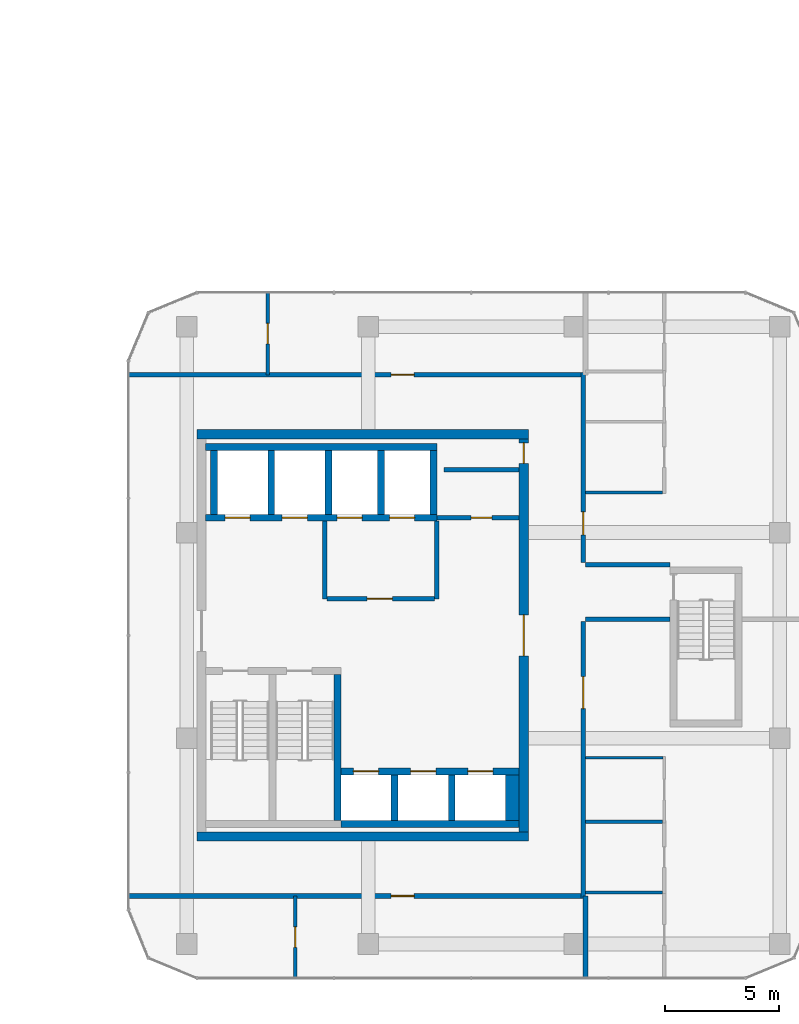
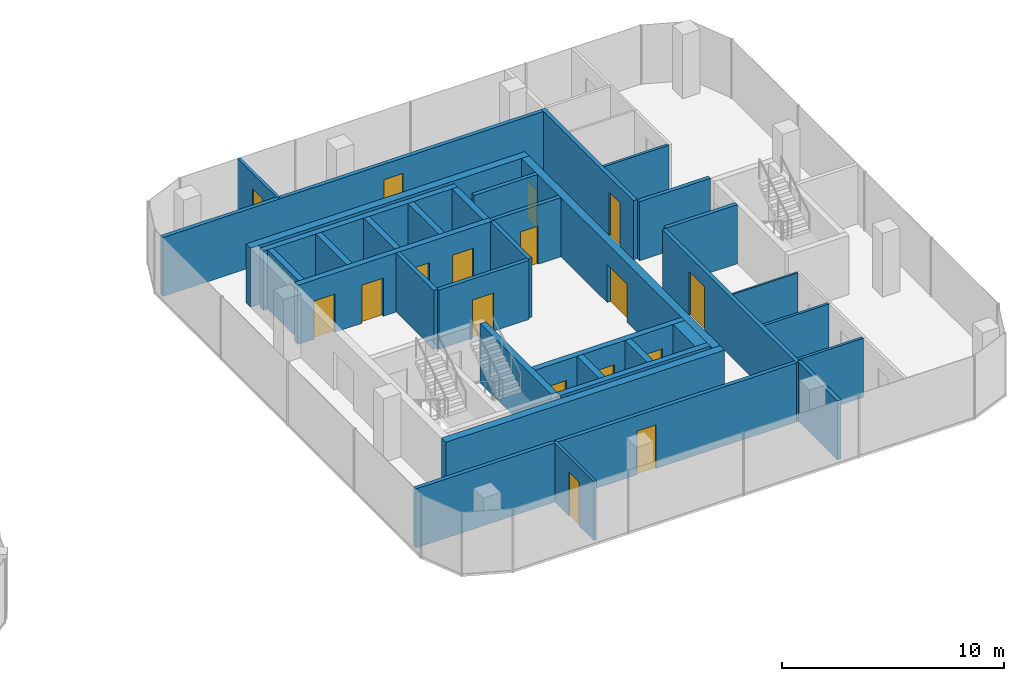
# One storey, part 18 of 23: 34 walls, 17 doors, 17 openings.
"""IFC4 building model written with IfcOpenShell, lengths in metres."""

from ifc_helpers import new_model, si_unit, direction, frame, frame_2d, origin, place, context, subcontext, project, spatial, rectangle, extrude, material, layer, layer_set, type_object, element, fill, save


model = new_model("IFC4")

# Units and contexts
model_context = context("Model", 3, precision=1e-05, world=origin(), true_north=direction((0.0, 1.0)))
body_context = subcontext(model_context, "Body", "Model", "MODEL_VIEW")
ifc_project = project(units=[si_unit("LENGTHUNIT", "METRE"), si_unit("AREAUNIT", "SQUARE_METRE"), si_unit("VOLUMEUNIT", "CUBIC_METRE"), si_unit("PLANEANGLEUNIT", "RADIAN"), si_unit("MASSUNIT", "GRAM", prefix="KILO")], contexts=[model_context])

# Site, building, storey
site_placement = place(None, origin())
site = spatial("IfcSite", under=ifc_project, at=site_placement, CompositionType="ELEMENT")
building_placement = place(site_placement, origin())
building = spatial("IfcBuilding", under=site, at=building_placement, Name="Plateau Cross Towers", CompositionType="ELEMENT")
storey_placement = place(building_placement, frame((0.0, 0.0, 95.800048828125)))
storey = spatial("IfcBuildingStorey", under=building, at=storey_placement, Name="L24", CompositionType="ELEMENT", Elevation=95.800048828125)

# Wall
ifc_material_1 = material(Name="Concrete block, plastered both sides", Category="concrete")
ifc_layer_1 = layer(ifc_material_1, 0.199951171875)
ifc_layer_set_1 = layer_set([ifc_layer_1], Name="Concrete block, plastered both sides")
wall_type_1 = type_object("IfcWallType", Name="Core partition 200", PredefinedType="PARTITIONING", material=ifc_layer_set_1)
wall_1_placement = place(storey_placement, frame((80.60009765625, 10.60009765625, 0.0), z_axis=(0.0, 0.0, 1.0), x_axis=(0.0, 1.0, 0.0)))
element("IfcWall", 1, at=wall_1_placement, inside=storey, type_object=wall_type_1, Name="Core partition", PredefinedType="PARTITIONING", context=body_context, shape_type="SweptSolid", body=[
    extrude(rectangle(XDim=3.39990234375, YDim=0.199951171875, at=frame_2d((1.699951171875, 0.0))), origin(), (0.0, 0.0, 1.0), 3.25),
])

# Wall, opening, door
wall_2_placement = place(storey_placement, frame((80.699951171875, 10.60009765625, 0.0), z_axis=(0.0, 0.0, 1.0), x_axis=(1.0, 0.0, 0.0)))
wall_2 = element("IfcWall", 2, at=wall_2_placement, inside=storey, type_object=wall_type_1, Name="Core partition", PredefinedType="PARTITIONING", context=body_context, shape_type="SweptSolid", body=[
    extrude(rectangle(XDim=4.699951171875, YDim=0.199951171875, at=frame_2d((2.35009765625, 0.0))), origin(), (0.0, 0.0, 1.0), 3.25),
])
opening_1_placement = place(wall_2_placement, frame((1.75, 0.0, 0.0)))
opening_1 = element("IfcOpeningElement", 3, at=opening_1_placement, cuts=wall_2, Name="Opening FFD", PredefinedType="OPENING", context=body_context, shape_type="SweptSolid", body=[
    extrude(rectangle(XDim=1.10009765625, YDim=2.10009765625, at=frame_2d((0.550048828125, 1.050048828125))), frame((0.0, 0.10986328125, 0.0), z_axis=(0.0, -1.0, 0.0), x_axis=(1.0, 0.0, 0.0)), (0.0, 0.0, 1.0), 0.219970703125),
])
ifc_material_2 = material(Name="Steel, fire-resisting leaf", Category="steel")
door_type_1 = type_object("IfcDoorType", Name="Firefighting lobby door 1100", OperationType="NOTDEFINED", PredefinedType="DOOR", material=ifc_material_2)
door_1_placement = place(opening_1_placement, origin())
door_1 = element("IfcDoor", 4, at=door_1_placement, inside=storey, type_object=door_type_1, Name="Firefighting lobby door FFD", OperationType="SINGLE_SWING_LEFT", OverallHeight=2.10009765625, OverallWidth=1.10009765625, PredefinedType="DOOR", context=body_context, shape_type="SweptSolid", body=[
    extrude(rectangle(XDim=1.10009765625, YDim=2.10009765625, at=frame_2d((0.550048828125, 1.050048828125))), frame((0.0, 0.02490234375, 0.0), z_axis=(0.0, -1.0, 0.0), x_axis=(1.0, 0.0, 0.0)), (0.0, 0.0, 1.0), 0.050048828125),
])
fill(opening_1, door_1)

# Wall
wall_3_placement = place(storey_placement, frame((85.5, 10.60009765625, 0.0), z_axis=(0.0, 0.0, 1.0), x_axis=(0.0, 1.0, 0.0)))
element("IfcWall", 5, at=wall_3_placement, inside=storey, type_object=wall_type_1, Name="Core partition", PredefinedType="PARTITIONING", context=body_context, shape_type="SweptSolid", body=[
    extrude(rectangle(XDim=3.39990234375, YDim=0.199951171875, at=frame_2d((1.699951171875, 0.0))), origin(), (0.0, 0.0, 1.0), 3.25),
])

# Wall, opening, door
wall_4_placement = place(storey_placement, frame((85.5, 14.14990234375, 0.0), z_axis=(0.0, 0.0, 1.0), x_axis=(1.0, 0.0, 0.0)))
wall_4 = element("IfcWall", 6, at=wall_4_placement, inside=storey, type_object=wall_type_1, Name="Core partition", PredefinedType="PARTITIONING", context=body_context, shape_type="SweptSolid", body=[
    extrude(rectangle(XDim=3.60009765625, YDim=0.199951171875, at=frame_2d((1.800048828125, 0.0))), origin(), (0.0, 0.0, 1.0), 3.25),
])
opening_2_placement = place(wall_4_placement, frame((1.5, 0.0, 0.0)))
opening_2 = element("IfcOpeningElement", 7, at=opening_2_placement, cuts=wall_4, Name="Opening RD2", PredefinedType="OPENING", context=body_context, shape_type="SweptSolid", body=[
    extrude(rectangle(XDim=0.89990234375, YDim=2.10009765625, at=frame_2d((0.449951171875, 1.050048828125))), frame((0.0, 0.10986328125, 0.0), z_axis=(0.0, -1.0, 0.0), x_axis=(1.0, 0.0, 0.0)), (0.0, 0.0, 1.0), 0.219970703125),
])
door_type_2 = type_object("IfcDoorType", Name="Core riser door 900", OperationType="NOTDEFINED", PredefinedType="DOOR", material=ifc_material_2)
door_2_placement = place(opening_2_placement, origin())
door_2 = element("IfcDoor", 8, at=door_2_placement, inside=storey, type_object=door_type_2, Name="Core riser door RD2", OperationType="SINGLE_SWING_LEFT", OverallHeight=2.10009765625, OverallWidth=0.89990234375, PredefinedType="DOOR", context=body_context, shape_type="SweptSolid", body=[
    extrude(rectangle(XDim=0.89990234375, YDim=2.10009765625, at=frame_2d((0.449951171875, 1.050048828125))), frame((0.0, 0.02490234375, 0.0), z_axis=(0.0, -1.0, 0.0), x_axis=(1.0, 0.0, 0.0)), (0.0, 0.0, 1.0), 0.050048828125),
])
fill(opening_2, door_2)

# Walls
wall_5_placement = place(storey_placement, frame((85.800048828125, 16.25, 0.0), z_axis=(0.0, 0.0, 1.0), x_axis=(1.0, 0.0, 0.0)))
element("IfcWall", 9, at=wall_5_placement, inside=storey, type_object=wall_type_1, Name="Core partition", PredefinedType="PARTITIONING", context=body_context, shape_type="SweptSolid", body=[
    extrude(rectangle(XDim=3.300048828125, YDim=0.199951171875, at=frame_2d((1.64990234375, 0.0))), origin(), (0.0, 0.0, 1.0), 3.25),
])
ifc_material_3 = material(Name="Concrete C60/75", Category="concrete")
ifc_layer_2 = layer(ifc_material_3, 0.300048828125)
ifc_layer_set_2 = layer_set([ifc_layer_2], Name="Concrete C60/75")
wall_type_2 = type_object("IfcWallType", Name="Core shaft wall 300", PredefinedType="SHEAR", material=ifc_layer_set_2)
wall_6_placement = place(storey_placement, frame((81.14990234375, 0.89990234375, 0.0), z_axis=(0.0, 0.0, 1.0), x_axis=(0.0, 1.0, 0.0)))
element("IfcWall", 10, at=wall_6_placement, inside=storey, type_object=wall_type_2, Name="B-sb-st2@L24", PredefinedType="SHEAR", context=body_context, shape_type="SweptSolid", body=[
    extrude(rectangle(XDim=6.400146484375, YDim=0.300048828125, at=frame_2d((3.2001953125, 0.0))), origin(), (0.0, 0.0, 1.0), 3.25),
])
wall_7_placement = place(storey_placement, frame((81.300048828125, 0.75, 0.0), z_axis=(0.0, 0.0, 1.0), x_axis=(1.0, 0.0, 0.0)))
element("IfcWall", 11, at=wall_7_placement, inside=storey, type_object=wall_type_2, Name="B-sb-back@L24", PredefinedType="SHEAR", context=body_context, shape_type="SweptSolid", body=[
    extrude(rectangle(XDim=7.800048828125, YDim=0.300048828125, at=frame_2d((3.89990234375, 0.0))), origin(), (0.0, 0.0, 1.0), 3.25),
])
for number, where, z_axis, x_axis, name in (
    (12, (83.64990234375, 0.89990234375, 0.0), (0.0, 0.0, 1.0), (0.0, 1.0, 0.0), "B-sb-v1@L24"),
    (13, (86.14990234375, 0.89990234375, 0.0), (0.0, 0.0, 1.0), (0.0, 1.0, 0.0), "B-sb-v2@L24"),
):
    element("IfcWall", number, at=place(storey_placement, frame(where, z_axis=z_axis, x_axis=x_axis)), inside=storey, type_object=wall_type_2, Name=name, PredefinedType="SHEAR", context=body_context, shape_type="SweptSolid", body=[
        extrude(rectangle(XDim=2.0, YDim=0.300048828125, at=frame_2d((1.0, 0.0))), origin(), (0.0, 0.0, 1.0), 3.25),
    ])

# Wall, openings, doors
wall_8_placement = place(storey_placement, frame((81.300048828125, 3.050048828125, 0.0), z_axis=(0.0, 0.0, 1.0), x_axis=(1.0, 0.0, 0.0)))
wall_8 = element("IfcWall", 14, at=wall_8_placement, inside=storey, type_object=wall_type_2, Name="B-sb-front@L24", PredefinedType="SHEAR", context=body_context, shape_type="SweptSolid", body=[
    extrude(rectangle(XDim=7.800048828125, YDim=0.300048828125, at=frame_2d((3.89990234375, 0.0))), origin(), (0.0, 0.0, 1.0), 3.25),
])
opening_3_placement = place(wall_8_placement, frame((0.550048828125, 0.0, 0.0)))
opening_3 = element("IfcOpeningElement", 15, at=opening_3_placement, cuts=wall_8, Name="Opening LD", PredefinedType="OPENING", context=body_context, shape_type="SweptSolid", body=[
    extrude(rectangle(XDim=1.10009765625, YDim=2.10009765625, at=frame_2d((0.550048828125, 1.050048828125))), frame((0.0, 0.159912109375, 0.0), z_axis=(0.0, -1.0, 0.0), x_axis=(1.0, 0.0, 0.0)), (0.0, 0.0, 1.0), 0.320068359375),
])
opening_4_placement = place(wall_8_placement, frame((3.050048828125, 0.0, 0.0)))
opening_4 = element("IfcOpeningElement", 16, at=opening_4_placement, cuts=wall_8, Name="Opening LD", PredefinedType="OPENING", context=body_context, shape_type="SweptSolid", body=[
    extrude(rectangle(XDim=1.10009765625, YDim=2.10009765625, at=frame_2d((0.550048828125, 1.050048828125))), frame((0.0, 0.159912109375, 0.0), z_axis=(0.0, -1.0, 0.0), x_axis=(1.0, 0.0, 0.0)), (0.0, 0.0, 1.0), 0.320068359375),
])
opening_5_placement = place(wall_8_placement, frame((5.550048828125, 0.0, 0.0)))
opening_5 = element("IfcOpeningElement", 17, at=opening_5_placement, cuts=wall_8, Name="Opening LD", PredefinedType="OPENING", context=body_context, shape_type="SweptSolid", body=[
    extrude(rectangle(XDim=1.10009765625, YDim=2.10009765625, at=frame_2d((0.550048828125, 1.050048828125))), frame((0.0, 0.159912109375, 0.0), z_axis=(0.0, -1.0, 0.0), x_axis=(1.0, 0.0, 0.0)), (0.0, 0.0, 1.0), 0.320068359375),
])
ifc_material_4 = material(Name="Stainless steel, fire-resisting sliding leaves", Category="steel")
door_type_3 = type_object("IfcDoorType", Name="Lift landing door 1100", OperationType="NOTDEFINED", PredefinedType="DOOR", material=ifc_material_4)
door_3_placement = place(opening_3_placement, origin())
door_3 = element("IfcDoor", 18, at=door_3_placement, inside=storey, type_object=door_type_3, Name="Lift landing door LD", OperationType="DOUBLE_DOOR_SLIDING", OverallHeight=2.10009765625, OverallWidth=1.10009765625, PredefinedType="DOOR", context=body_context, shape_type="SweptSolid", body=[
    extrude(rectangle(XDim=1.10009765625, YDim=2.10009765625, at=frame_2d((0.550048828125, 1.050048828125))), frame((0.0, 0.02490234375, 0.0), z_axis=(0.0, -1.0, 0.0), x_axis=(1.0, 0.0, 0.0)), (0.0, 0.0, 1.0), 0.050048828125),
])
fill(opening_3, door_3)
door_4_placement = place(opening_4_placement, origin())
door_4 = element("IfcDoor", 19, at=door_4_placement, inside=storey, type_object=door_type_3, Name="Lift landing door LD", OperationType="DOUBLE_DOOR_SLIDING", OverallHeight=2.10009765625, OverallWidth=1.10009765625, PredefinedType="DOOR", context=body_context, shape_type="SweptSolid", body=[
    extrude(rectangle(XDim=1.10009765625, YDim=2.10009765625, at=frame_2d((0.550048828125, 1.050048828125))), frame((0.0, 0.02490234375, 0.0), z_axis=(0.0, -1.0, 0.0), x_axis=(1.0, 0.0, 0.0)), (0.0, 0.0, 1.0), 0.050048828125),
])
fill(opening_4, door_4)
door_5_placement = place(opening_5_placement, origin())
door_5 = element("IfcDoor", 20, at=door_5_placement, inside=storey, type_object=door_type_3, Name="Lift landing door LD", OperationType="DOUBLE_DOOR_SLIDING", OverallHeight=2.10009765625, OverallWidth=1.10009765625, PredefinedType="DOOR", context=body_context, shape_type="SweptSolid", body=[
    extrude(rectangle(XDim=1.10009765625, YDim=2.10009765625, at=frame_2d((0.550048828125, 1.050048828125))), frame((0.0, 0.02490234375, 0.0), z_axis=(0.0, -1.0, 0.0), x_axis=(1.0, 0.0, 0.0)), (0.0, 0.0, 1.0), 0.050048828125),
])
fill(opening_5, door_5)

# Wall
wall_9_placement = place(storey_placement, frame((75.3798828125, 17.25, 0.0), z_axis=(0.0, 0.0, 1.0), x_axis=(1.0, 0.0, 0.0)))
element("IfcWall", 21, at=wall_9_placement, inside=storey, type_object=wall_type_2, Name="B-nb-back@L24", PredefinedType="SHEAR", context=body_context, shape_type="SweptSolid", body=[
    extrude(rectangle(XDim=10.1201171875, YDim=0.300048828125, at=frame_2d((5.06005859375, 0.0))), origin(), (0.0, 0.0, 1.0), 3.25),
])

# Wall, openings, doors
wall_10_placement = place(storey_placement, frame((75.3798828125, 14.14990234375, 0.0), z_axis=(0.0, 0.0, 1.0), x_axis=(1.0, 0.0, 0.0)))
wall_10 = element("IfcWall", 22, at=wall_10_placement, inside=storey, type_object=wall_type_2, Name="B-nb-front@L24", PredefinedType="SHEAR", context=body_context, shape_type="SweptSolid", body=[
    extrude(rectangle(XDim=10.1201171875, YDim=0.300048828125, at=frame_2d((5.06005859375, 0.0))), origin(), (0.0, 0.0, 1.0), 3.25),
])
opening_6_placement = place(wall_10_placement, frame((0.85009765625, 0.0, 0.0)))
opening_6 = element("IfcOpeningElement", 23, at=opening_6_placement, cuts=wall_10, Name="Opening LD", PredefinedType="OPENING", context=body_context, shape_type="SweptSolid", body=[
    extrude(rectangle(XDim=1.10009765625, YDim=2.10009765625, at=frame_2d((0.550048828125, 1.050048828125))), frame((0.0, 0.159912109375, 0.0), z_axis=(0.0, -1.0, 0.0), x_axis=(1.0, 0.0, 0.0)), (0.0, 0.0, 1.0), 0.320068359375),
])
opening_7_placement = place(wall_10_placement, frame((3.35009765625, 0.0, 0.0)))
opening_7 = element("IfcOpeningElement", 24, at=opening_7_placement, cuts=wall_10, Name="Opening LD", PredefinedType="OPENING", context=body_context, shape_type="SweptSolid", body=[
    extrude(rectangle(XDim=1.10009765625, YDim=2.10009765625, at=frame_2d((0.550048828125, 1.050048828125))), frame((0.0, 0.159912109375, 0.0), z_axis=(0.0, -1.0, 0.0), x_axis=(1.0, 0.0, 0.0)), (0.0, 0.0, 1.0), 0.320068359375),
])
opening_8_placement = place(wall_10_placement, frame((5.75, 0.0, 0.0)))
opening_8 = element("IfcOpeningElement", 25, at=opening_8_placement, cuts=wall_10, Name="Opening LD", PredefinedType="OPENING", context=body_context, shape_type="SweptSolid", body=[
    extrude(rectangle(XDim=1.10009765625, YDim=2.10009765625, at=frame_2d((0.550048828125, 1.050048828125))), frame((0.0, 0.159912109375, 0.0), z_axis=(0.0, -1.0, 0.0), x_axis=(1.0, 0.0, 0.0)), (0.0, 0.0, 1.0), 0.320068359375),
])
opening_9_placement = place(wall_10_placement, frame((8.050048828125, 0.0, 0.0)))
opening_9 = element("IfcOpeningElement", 26, at=opening_9_placement, cuts=wall_10, Name="Opening LD", PredefinedType="OPENING", context=body_context, shape_type="SweptSolid", body=[
    extrude(rectangle(XDim=1.10009765625, YDim=2.10009765625, at=frame_2d((0.550048828125, 1.050048828125))), frame((0.0, 0.159912109375, 0.0), z_axis=(0.0, -1.0, 0.0), x_axis=(1.0, 0.0, 0.0)), (0.0, 0.0, 1.0), 0.320068359375),
])
door_6_placement = place(opening_6_placement, origin())
door_6 = element("IfcDoor", 27, at=door_6_placement, inside=storey, type_object=door_type_3, Name="Lift landing door LD", OperationType="DOUBLE_DOOR_SLIDING", OverallHeight=2.10009765625, OverallWidth=1.10009765625, PredefinedType="DOOR", context=body_context, shape_type="SweptSolid", body=[
    extrude(rectangle(XDim=1.10009765625, YDim=2.10009765625, at=frame_2d((0.550048828125, 1.050048828125))), frame((0.0, 0.02490234375, 0.0), z_axis=(0.0, -1.0, 0.0), x_axis=(1.0, 0.0, 0.0)), (0.0, 0.0, 1.0), 0.050048828125),
])
fill(opening_6, door_6)
door_7_placement = place(opening_7_placement, origin())
door_7 = element("IfcDoor", 28, at=door_7_placement, inside=storey, type_object=door_type_3, Name="Lift landing door LD", OperationType="DOUBLE_DOOR_SLIDING", OverallHeight=2.10009765625, OverallWidth=1.10009765625, PredefinedType="DOOR", context=body_context, shape_type="SweptSolid", body=[
    extrude(rectangle(XDim=1.10009765625, YDim=2.10009765625, at=frame_2d((0.550048828125, 1.050048828125))), frame((0.0, 0.02490234375, 0.0), z_axis=(0.0, -1.0, 0.0), x_axis=(1.0, 0.0, 0.0)), (0.0, 0.0, 1.0), 0.050048828125),
])
fill(opening_7, door_7)
door_8_placement = place(opening_8_placement, origin())
door_8 = element("IfcDoor", 29, at=door_8_placement, inside=storey, type_object=door_type_3, Name="Lift landing door LD", OperationType="DOUBLE_DOOR_SLIDING", OverallHeight=2.10009765625, OverallWidth=1.10009765625, PredefinedType="DOOR", context=body_context, shape_type="SweptSolid", body=[
    extrude(rectangle(XDim=1.10009765625, YDim=2.10009765625, at=frame_2d((0.550048828125, 1.050048828125))), frame((0.0, 0.02490234375, 0.0), z_axis=(0.0, -1.0, 0.0), x_axis=(1.0, 0.0, 0.0)), (0.0, 0.0, 1.0), 0.050048828125),
])
fill(opening_8, door_8)
door_9_placement = place(opening_9_placement, origin())
door_9 = element("IfcDoor", 30, at=door_9_placement, inside=storey, type_object=door_type_3, Name="Lift landing door LD", OperationType="DOUBLE_DOOR_SLIDING", OverallHeight=2.10009765625, OverallWidth=1.10009765625, PredefinedType="DOOR", context=body_context, shape_type="SweptSolid", body=[
    extrude(rectangle(XDim=1.10009765625, YDim=2.10009765625, at=frame_2d((0.550048828125, 1.050048828125))), frame((0.0, 0.02490234375, 0.0), z_axis=(0.0, -1.0, 0.0), x_axis=(1.0, 0.0, 0.0)), (0.0, 0.0, 1.0), 0.050048828125),
])
fill(opening_9, door_9)

# Walls
for number, where, z_axis, x_axis, name in (
    (31, (75.75, 14.300048828125, 0.0), (0.0, 0.0, 1.0), (0.0, 1.0, 0.0), "B-nb-v0@L24"),
    (32, (78.25, 14.300048828125, 0.0), (0.0, 0.0, 1.0), (0.0, 1.0, 0.0), "B-nb-v1@L24"),
    (33, (80.75, 14.300048828125, 0.0), (0.0, 0.0, 1.0), (0.0, 1.0, 0.0), "B-nb-v2@L24"),
    (34, (83.050048828125, 14.300048828125, 0.0), (0.0, 0.0, 1.0), (0.0, 1.0, 0.0), "B-nb-v3@L24"),
    (35, (85.35009765625, 14.300048828125, 0.0), (0.0, 0.0, 1.0), (0.0, 1.0, 0.0), "B-nb-v4@L24"),
):
    element("IfcWall", number, at=place(storey_placement, frame(where, z_axis=z_axis, x_axis=x_axis)), inside=storey, type_object=wall_type_2, Name=name, PredefinedType="SHEAR", context=body_context, shape_type="SweptSolid", body=[
        extrude(rectangle(XDim=2.800048828125, YDim=0.300048828125, at=frame_2d((1.39990234375, 0.0))), origin(), (0.0, 0.0, 1.0), 3.25),
    ])
ifc_layer_3 = layer(ifc_material_3, 0.60009765625)
ifc_layer_set_3 = layer_set([ifc_layer_3], Name="Concrete C60/75")
wall_type_3 = type_object("IfcWallType", Name="Core shaft wall 600", PredefinedType="SHEAR", material=ifc_layer_set_3)
wall_11_placement = place(storey_placement, frame((88.800048828125, 0.89990234375, 0.0), z_axis=(0.0, 0.0, 1.0), x_axis=(0.0, 1.0, 0.0)))
element("IfcWall", 36, at=wall_11_placement, inside=storey, type_object=wall_type_3, Name="B-sb-v3@L24", PredefinedType="SHEAR", context=body_context, shape_type="SweptSolid", body=[
    extrude(rectangle(XDim=2.0, YDim=0.60009765625, at=frame_2d((1.0, 0.0))), origin(), (0.0, 0.0, 1.0), 3.25),
])
ifc_layer_4 = layer(ifc_material_3, 0.39990234375)
ifc_layer_set_4 = layer_set([ifc_layer_4], Name="Concrete C60/75")
wall_type_4 = type_object("IfcWallType", Name="Core shell wall 400", PredefinedType="SHEAR", material=ifc_layer_set_4)
for number, where, z_axis, x_axis, name in (
    (37, (75.0, 0.199951171875, 0.0), (0.0, 0.0, 1.0), (1.0, 0.0, 0.0), "B-core-S@L24"),
    (38, (75.0, 17.800048828125, 0.0), (0.0, 0.0, 1.0), (1.0, 0.0, 0.0), "B-core-N@L24"),
):
    element("IfcWall", number, at=place(storey_placement, frame(where, z_axis=z_axis, x_axis=x_axis)), inside=storey, type_object=wall_type_4, Name=name, PredefinedType="SHEAR", context=body_context, shape_type="SweptSolid", body=[
        extrude(rectangle(XDim=14.5, YDim=0.39990234375, at=frame_2d((7.25, 0.0))), origin(), (0.0, 0.0, 1.0), 3.25),
    ])

# Wall, openings, doors
wall_12_placement = place(storey_placement, frame((89.300048828125, 0.39990234375, 0.0), z_axis=(0.0, 0.0, 1.0), x_axis=(0.0, 1.0, 0.0)))
wall_12 = element("IfcWall", 39, at=wall_12_placement, inside=storey, type_object=wall_type_4, Name="B-core-E@L24", PredefinedType="SHEAR", context=body_context, shape_type="SweptSolid", body=[
    extrude(rectangle(XDim=17.2001953125, YDim=0.39990234375, at=frame_2d((8.60009765625, 0.0))), origin(), (0.0, 0.0, 1.0), 3.25),
])
opening_10_placement = place(wall_12_placement, frame((7.699951171875, 0.0, 0.0)))
opening_10 = element("IfcOpeningElement", 40, at=opening_10_placement, cuts=wall_12, Name="Opening CD", PredefinedType="OPENING", context=body_context, shape_type="SweptSolid", body=[
    extrude(rectangle(XDim=1.800048828125, YDim=2.10009765625, at=frame_2d((0.89990234375, 1.050048828125))), frame((0.0, 0.2099609375, 0.0), z_axis=(0.0, -1.0, 0.0), x_axis=(1.0, 0.0, 0.0)), (0.0, 0.0, 1.0), 0.419921875),
])
opening_11_placement = place(wall_12_placement, frame((16.125, 0.0, 0.0)))
opening_11 = element("IfcOpeningElement", 41, at=opening_11_placement, cuts=wall_12, Name="Opening RD2", PredefinedType="OPENING", context=body_context, shape_type="SweptSolid", body=[
    extrude(rectangle(XDim=0.89990234375, YDim=2.10009765625, at=frame_2d((0.449951171875, 1.050048828125))), frame((0.0, 0.2099609375, 0.0), z_axis=(0.0, -1.0, 0.0), x_axis=(1.0, 0.0, 0.0)), (0.0, 0.0, 1.0), 0.419921875),
])
door_10_placement = place(opening_11_placement, origin())
door_10 = element("IfcDoor", 42, at=door_10_placement, inside=storey, type_object=door_type_2, Name="Core riser door RD2", OperationType="SINGLE_SWING_LEFT", OverallHeight=2.10009765625, OverallWidth=0.89990234375, PredefinedType="DOOR", context=body_context, shape_type="SweptSolid", body=[
    extrude(rectangle(XDim=0.89990234375, YDim=2.10009765625, at=frame_2d((0.449951171875, 1.050048828125))), frame((0.0, 0.02490234375, 0.0), z_axis=(0.0, -1.0, 0.0), x_axis=(1.0, 0.0, 0.0)), (0.0, 0.0, 1.0), 0.050048828125),
])
fill(opening_11, door_10)
ifc_material_5 = material(Name="Steel, fire-resisting leaves", Category="steel")
door_type_4 = type_object("IfcDoorType", Name="Corridor door pair 1800", OperationType="NOTDEFINED", PredefinedType="DOOR", material=ifc_material_5)
door_11_placement = place(opening_10_placement, origin())
door_11 = element("IfcDoor", 43, at=door_11_placement, inside=storey, type_object=door_type_4, Name="Corridor door pair CD", OperationType="DOUBLE_DOOR_SINGLE_SWING", OverallHeight=2.10009765625, OverallWidth=1.800048828125, PredefinedType="DOOR", context=body_context, shape_type="SweptSolid", body=[
    extrude(rectangle(XDim=1.800048828125, YDim=2.10009765625, at=frame_2d((0.89990234375, 1.050048828125))), frame((0.0, 0.02490234375, 0.0), z_axis=(0.0, -1.0, 0.0), x_axis=(1.0, 0.0, 0.0)), (0.0, 0.0, 1.0), 0.050048828125),
])
fill(opening_10, door_11)

# Wall, opening, door
ifc_material_6 = material(Name="Gypsum board on steel studs, two layers each side", Category="steel")
ifc_layer_5 = layer(ifc_material_6, 0.199951171875)
ifc_layer_set_5 = layer_set([ifc_layer_5], Name="Gypsum board on steel studs, two layers each side")
wall_type_5 = type_object("IfcWallType", Name="Corridor wall 200", PredefinedType="PARTITIONING", material=ifc_layer_set_5)
wall_13_placement = place(storey_placement, frame((72.0, -2.39990234375, 0.0), z_axis=(0.0, 0.0, 1.0), x_axis=(1.0, 0.0, 0.0)))
wall_13 = element("IfcWall", 44, at=wall_13_placement, inside=storey, type_object=wall_type_5, Name="Ring wall", PredefinedType="PARTITIONING", context=body_context, shape_type="SweptSolid", body=[
    extrude(rectangle(XDim=20.0, YDim=0.199951171875, at=frame_2d((10.0, 0.0))), origin(), (0.0, 0.0, 1.0), 3.25),
])
opening_12_placement = place(wall_13_placement, frame((11.5, 0.0, 0.0)))
opening_12 = element("IfcOpeningElement", 45, at=opening_12_placement, cuts=wall_13, Name="Opening D-BO10", PredefinedType="OPENING", context=body_context, shape_type="SweptSolid", body=[
    extrude(rectangle(XDim=1.0, YDim=2.39990234375, at=frame_2d((0.5, 1.199951171875))), frame((0.0, 0.10986328125, 0.0), z_axis=(0.0, -1.0, 0.0), x_axis=(1.0, 0.0, 0.0)), (0.0, 0.0, 1.0), 0.219970703125),
])
ifc_material_7 = material(Name="Fire-resisting glazed leaf in a steel frame", Category="steel")
door_type_5 = type_object("IfcDoorType", Name="Office glazed entrance leaf 1000x2400", OperationType="NOTDEFINED", PredefinedType="DOOR", material=ifc_material_7)
door_12_placement = place(opening_12_placement, origin())
door_12 = element("IfcDoor", 46, at=door_12_placement, inside=storey, type_object=door_type_5, Name="Door D-BO10", OperationType="SINGLE_SWING_LEFT", OverallHeight=2.39990234375, OverallWidth=1.0, PredefinedType="DOOR", context=body_context, shape_type="SweptSolid", body=[
    extrude(rectangle(XDim=1.0, YDim=2.39990234375, at=frame_2d((0.5, 1.199951171875))), frame((0.0, 0.02490234375, 0.0), z_axis=(0.0, -1.0, 0.0), x_axis=(1.0, 0.0, 0.0)), (0.0, 0.0, 1.0), 0.050048828125),
])
fill(opening_12, door_12)

wall_14_placement = place(storey_placement, frame((72.0, 20.39990234375, 0.0), z_axis=(0.0, 0.0, 1.0), x_axis=(1.0, 0.0, 0.0)))
wall_14 = element("IfcWall", 47, at=wall_14_placement, inside=storey, type_object=wall_type_5, Name="Ring wall", PredefinedType="PARTITIONING", context=body_context, shape_type="SweptSolid", body=[
    extrude(rectangle(XDim=20.0, YDim=0.199951171875, at=frame_2d((10.0, 0.0))), origin(), (0.0, 0.0, 1.0), 3.25),
])
opening_13_placement = place(wall_14_placement, frame((11.5, 0.0, 0.0)))
opening_13 = element("IfcOpeningElement", 48, at=opening_13_placement, cuts=wall_14, Name="Opening D-BO10", PredefinedType="OPENING", context=body_context, shape_type="SweptSolid", body=[
    extrude(rectangle(XDim=1.0, YDim=2.39990234375, at=frame_2d((0.5, 1.199951171875))), frame((0.0, 0.10986328125, 0.0), z_axis=(0.0, -1.0, 0.0), x_axis=(1.0, 0.0, 0.0)), (0.0, 0.0, 1.0), 0.219970703125),
])
door_13_placement = place(opening_13_placement, origin())
door_13 = element("IfcDoor", 49, at=door_13_placement, inside=storey, type_object=door_type_5, Name="Door D-BO10", OperationType="SINGLE_SWING_LEFT", OverallHeight=2.39990234375, OverallWidth=1.0, PredefinedType="DOOR", context=body_context, shape_type="SweptSolid", body=[
    extrude(rectangle(XDim=1.0, YDim=2.39990234375, at=frame_2d((0.5, 1.199951171875))), frame((0.0, 0.02490234375, 0.0), z_axis=(0.0, -1.0, 0.0), x_axis=(1.0, 0.0, 0.0)), (0.0, 0.0, 1.0), 0.050048828125),
])
fill(opening_13, door_13)

wall_15_placement = place(storey_placement, frame((91.89990234375, -2.5, 0.0), z_axis=(0.0, 0.0, 1.0), x_axis=(0.0, 1.0, 0.0)))
wall_15 = element("IfcWall", 50, at=wall_15_placement, inside=storey, type_object=wall_type_5, Name="Ring wall", PredefinedType="PARTITIONING", context=body_context, shape_type="SweptSolid", body=[
    extrude(rectangle(XDim=12.10009765625, YDim=0.199951171875, at=frame_2d((6.050048828125, 0.0))), origin(), (0.0, 0.0, 1.0), 3.25),
])
opening_14_placement = place(wall_15_placement, frame((8.300048828125, 0.0, 0.0)))
opening_14 = element("IfcOpeningElement", 51, at=opening_14_placement, cuts=wall_15, Name="Opening D-BE14", PredefinedType="OPENING", context=body_context, shape_type="SweptSolid", body=[
    extrude(rectangle(XDim=1.39990234375, YDim=2.39990234375, at=frame_2d((0.699951171875, 1.199951171875))), frame((0.0, 0.10986328125, 0.0), z_axis=(0.0, -1.0, 0.0), x_axis=(1.0, 0.0, 0.0)), (0.0, 0.0, 1.0), 0.219970703125),
])
ifc_material_8 = material(Name="Timber, fire-resisting leaves", Category="wood")
door_type_6 = type_object("IfcDoorType", Name="Tenant entrance double-leaf 1400x2400", OperationType="NOTDEFINED", PredefinedType="DOOR", material=ifc_material_8)
door_14_placement = place(opening_14_placement, origin())
door_14 = element("IfcDoor", 52, at=door_14_placement, inside=storey, type_object=door_type_6, Name="Door D-BE14", OperationType="DOUBLE_DOOR_SINGLE_SWING", OverallHeight=2.39990234375, OverallWidth=1.39990234375, PredefinedType="DOOR", context=body_context, shape_type="SweptSolid", body=[
    extrude(rectangle(XDim=1.39990234375, YDim=2.39990234375, at=frame_2d((0.699951171875, 1.199951171875))), frame((0.0, 0.02490234375, 0.0), z_axis=(0.0, -1.0, 0.0), x_axis=(1.0, 0.0, 0.0)), (0.0, 0.0, 1.0), 0.050048828125),
])
fill(opening_14, door_14)

wall_16_placement = place(storey_placement, frame((91.89990234375, 12.199951171875, 0.0), z_axis=(0.0, 0.0, 1.0), x_axis=(0.0, 1.0, 0.0)))
wall_16 = element("IfcWall", 53, at=wall_16_placement, inside=storey, type_object=wall_type_5, Name="Ring wall", PredefinedType="PARTITIONING", context=body_context, shape_type="SweptSolid", body=[
    extrude(rectangle(XDim=8.300048828125, YDim=0.199951171875, at=frame_2d((4.14990234375, 0.0))), origin(), (0.0, 0.0, 1.0), 3.25),
])
opening_15_placement = place(wall_16_placement, frame((1.199951171875, 0.0, 0.0)))
opening_15 = element("IfcOpeningElement", 54, at=opening_15_placement, cuts=wall_16, Name="Opening D-BO10", PredefinedType="OPENING", context=body_context, shape_type="SweptSolid", body=[
    extrude(rectangle(XDim=1.0, YDim=2.39990234375, at=frame_2d((0.5, 1.199951171875))), frame((0.0, 0.10986328125, 0.0), z_axis=(0.0, -1.0, 0.0), x_axis=(1.0, 0.0, 0.0)), (0.0, 0.0, 1.0), 0.219970703125),
])
door_15_placement = place(opening_15_placement, origin())
door_15 = element("IfcDoor", 55, at=door_15_placement, inside=storey, type_object=door_type_5, Name="Door D-BO10", OperationType="SINGLE_SWING_LEFT", OverallHeight=2.39990234375, OverallWidth=1.0, PredefinedType="DOOR", context=body_context, shape_type="SweptSolid", body=[
    extrude(rectangle(XDim=1.0, YDim=2.39990234375, at=frame_2d((0.5, 1.199951171875))), frame((0.0, 0.02490234375, 0.0), z_axis=(0.0, -1.0, 0.0), x_axis=(1.0, 0.0, 0.0)), (0.0, 0.0, 1.0), 0.050048828125),
])
fill(opening_15, door_15)

# Walls
for number, where, z_axis, x_axis, name in (
    (56, (92.0, 9.699951171875, 0.0), (0.0, 0.0, 1.0), (1.0, 0.0, 0.0), "Ring wall"),
    (57, (92.0, 12.10009765625, 0.0), (0.0, 0.0, 1.0), (1.0, 0.0, 0.0), "Ring wall"),
):
    element("IfcWall", number, at=place(storey_placement, frame(where, z_axis=z_axis, x_axis=x_axis)), inside=storey, type_object=wall_type_5, Name=name, PredefinedType="PARTITIONING", context=body_context, shape_type="SweptSolid", body=[
        extrude(rectangle(XDim=3.699951171875, YDim=0.199951171875, at=frame_2d((1.85009765625, 0.0))), origin(), (0.0, 0.0, 1.0), 3.25),
    ])

# Wall, opening, door
ifc_material_9 = material(Name="Gypsum board on staggered steel studs, mineral wool, two layers each side", Category="steel")
ifc_layer_6 = layer(ifc_material_9, 0.139892578125)
ifc_layer_set_6 = layer_set([ifc_layer_6], Name="Gypsum board on staggered steel studs, mineral wool, two layers each side")
wall_type_6 = type_object("IfcWallType", Name="Meeting room acoustic partition 140", PredefinedType="PARTITIONING", material=ifc_layer_set_6)
wall_17_placement = place(storey_placement, frame((79.300048828125, -6.0, 0.0), z_axis=(0.0, 0.0, 1.0), x_axis=(0.0, 1.0, 0.0)))
wall_17 = element("IfcWall", 58, at=wall_17_placement, inside=storey, type_object=wall_type_6, Name="Acoustic wall", PredefinedType="PARTITIONING", context=body_context, shape_type="SweptSolid", body=[
    extrude(rectangle(XDim=3.60009765625, YDim=0.139892578125, at=frame_2d((1.800048828125, 0.0))), origin(), (0.0, 0.0, 1.0), 3.25),
])
opening_16_placement = place(wall_17_placement, frame((1.35009765625, 0.0, 0.0)))
opening_16 = element("IfcOpeningElement", 59, at=opening_16_placement, cuts=wall_17, Name="Opening D-BM9", PredefinedType="OPENING", context=body_context, shape_type="SweptSolid", body=[
    extrude(rectangle(XDim=0.89990234375, YDim=2.39990234375, at=frame_2d((0.449951171875, 1.199951171875))), frame((0.0, 0.079833984375, 0.0), z_axis=(0.0, -1.0, 0.0), x_axis=(1.0, 0.0, 0.0)), (0.0, 0.0, 1.0), 0.159912109375),
])
ifc_material_10 = material(Name="Timber leaf, full height", Category="wood")
door_type_7 = type_object("IfcDoorType", Name="Meeting room door 900x2400", OperationType="NOTDEFINED", PredefinedType="DOOR", material=ifc_material_10)
door_16_placement = place(opening_16_placement, origin())
door_16 = element("IfcDoor", 60, at=door_16_placement, inside=storey, type_object=door_type_7, Name="Door D-BM9", OperationType="SINGLE_SWING_LEFT", OverallHeight=2.39990234375, OverallWidth=0.89990234375, PredefinedType="DOOR", context=body_context, shape_type="SweptSolid", body=[
    extrude(rectangle(XDim=0.89990234375, YDim=2.39990234375, at=frame_2d((0.449951171875, 1.199951171875))), frame((0.0, 0.02490234375, 0.0), z_axis=(0.0, -1.0, 0.0), x_axis=(1.0, 0.0, 0.0)), (0.0, 0.0, 1.0), 0.050048828125),
])
fill(opening_16, door_16)

# Walls
for number, where, z_axis, x_axis, name in (
    (61, (92.0, -2.25, 0.0), (0.0, 0.0, 1.0), (1.0, 0.0, 0.0), "Acoustic wall"),
    (62, (92.0, 0.85009765625, 0.0), (0.0, 0.0, 1.0), (1.0, 0.0, 0.0), "Acoustic wall"),
    (63, (92.0, 15.25, 0.0), (0.0, 0.0, 1.0), (1.0, 0.0, 0.0), "Acoustic wall"),
):
    element("IfcWall", number, at=place(storey_placement, frame(where, z_axis=z_axis, x_axis=x_axis)), inside=storey, type_object=wall_type_6, Name=name, PredefinedType="PARTITIONING", context=body_context, shape_type="SweptSolid", body=[
        extrude(rectangle(XDim=3.3798828125, YDim=0.139892578125, at=frame_2d((1.68994140625, 0.0))), origin(), (0.0, 0.0, 1.0), 3.25),
    ])

# Wall, opening, door
wall_18_placement = place(storey_placement, frame((78.10009765625, 20.39990234375, 0.0), z_axis=(0.0, 0.0, 1.0), x_axis=(0.0, 1.0, 0.0)))
wall_18 = element("IfcWall", 64, at=wall_18_placement, inside=storey, type_object=wall_type_6, Name="Acoustic wall", PredefinedType="PARTITIONING", context=body_context, shape_type="SweptSolid", body=[
    extrude(rectangle(XDim=3.60009765625, YDim=0.139892578125, at=frame_2d((1.800048828125, 0.0))), origin(), (0.0, 0.0, 1.0), 3.25),
])
opening_17_placement = place(wall_18_placement, frame((1.35009765625, 0.0, 0.0)))
opening_17 = element("IfcOpeningElement", 65, at=opening_17_placement, cuts=wall_18, Name="Opening D-BM9", PredefinedType="OPENING", context=body_context, shape_type="SweptSolid", body=[
    extrude(rectangle(XDim=0.89990234375, YDim=2.39990234375, at=frame_2d((0.449951171875, 1.199951171875))), frame((0.0, 0.079833984375, 0.0), z_axis=(0.0, -1.0, 0.0), x_axis=(1.0, 0.0, 0.0)), (0.0, 0.0, 1.0), 0.159912109375),
])
door_17_placement = place(opening_17_placement, origin())
door_17 = element("IfcDoor", 66, at=door_17_placement, inside=storey, type_object=door_type_7, Name="Door D-BM9", OperationType="SINGLE_SWING_LEFT", OverallHeight=2.39990234375, OverallWidth=0.89990234375, PredefinedType="DOOR", context=body_context, shape_type="SweptSolid", body=[
    extrude(rectangle(XDim=0.89990234375, YDim=2.39990234375, at=frame_2d((0.449951171875, 1.199951171875))), frame((0.0, 0.02490234375, 0.0), z_axis=(0.0, -1.0, 0.0), x_axis=(1.0, 0.0, 0.0)), (0.0, 0.0, 1.0), 0.050048828125),
])
fill(opening_17, door_17)

# Walls
ifc_material_11 = material(Name="Gypsum board on steel studs", Category="steel")
ifc_layer_7 = layer(ifc_material_11, 0.10009765625)
ifc_layer_set_7 = layer_set([ifc_layer_7], Name="Gypsum board on steel studs")
wall_type_7 = type_object("IfcWallType", Name="Office partition 100", PredefinedType="PARTITIONING", material=ifc_layer_set_7)
wall_19_placement = place(storey_placement, frame((92.0, 3.64990234375, 0.0), z_axis=(0.0, 0.0, 1.0), x_axis=(1.0, 0.0, 0.0)))
element("IfcWall", 67, at=wall_19_placement, inside=storey, type_object=wall_type_7, Name="Part wall", PredefinedType="PARTITIONING", context=body_context, shape_type="SweptSolid", body=[
    extrude(rectangle(XDim=3.39990234375, YDim=0.10009765625, at=frame_2d((1.699951171875, 0.0))), origin(), (0.0, 0.0, 1.0), 3.25),
])
ifc_layer_8 = layer(ifc_material_6, 0.199951171875)
ifc_layer_set_8 = layer_set([ifc_layer_8], Name="Gypsum board on steel studs, two layers each side")
wall_type_8 = type_object("IfcWallType", Name="Tenancy demising wall 200", PredefinedType="PARTITIONING", material=ifc_layer_set_8)
wall_20_placement = place(storey_placement, frame((92.0, -6.0, 0.0), z_axis=(0.0, 0.0, 1.0), x_axis=(0.0, 1.0, 0.0)))
element("IfcWall", 68, at=wall_20_placement, inside=storey, type_object=wall_type_8, Name="Demising wall", PredefinedType="PARTITIONING", context=body_context, shape_type="SweptSolid", body=[
    extrude(rectangle(XDim=3.60009765625, YDim=0.199951171875, at=frame_2d((1.800048828125, 0.0))), origin(), (0.0, 0.0, 1.0), 3.25),
])

save(model, "model.ifc")
